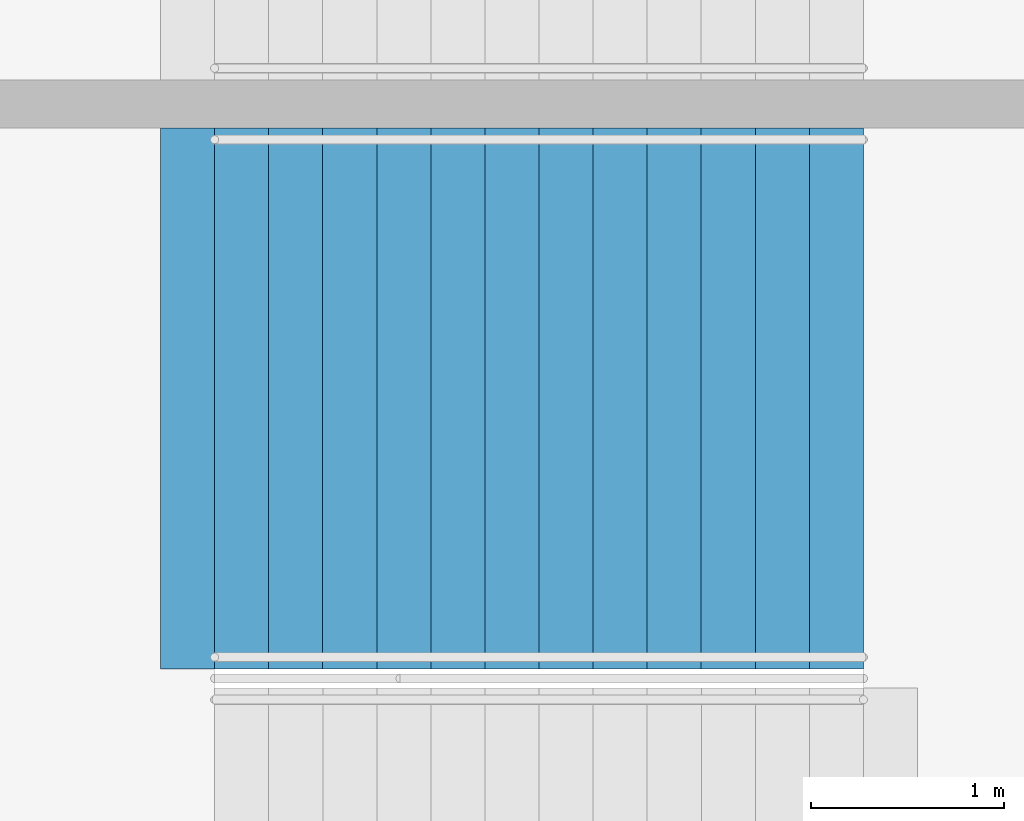
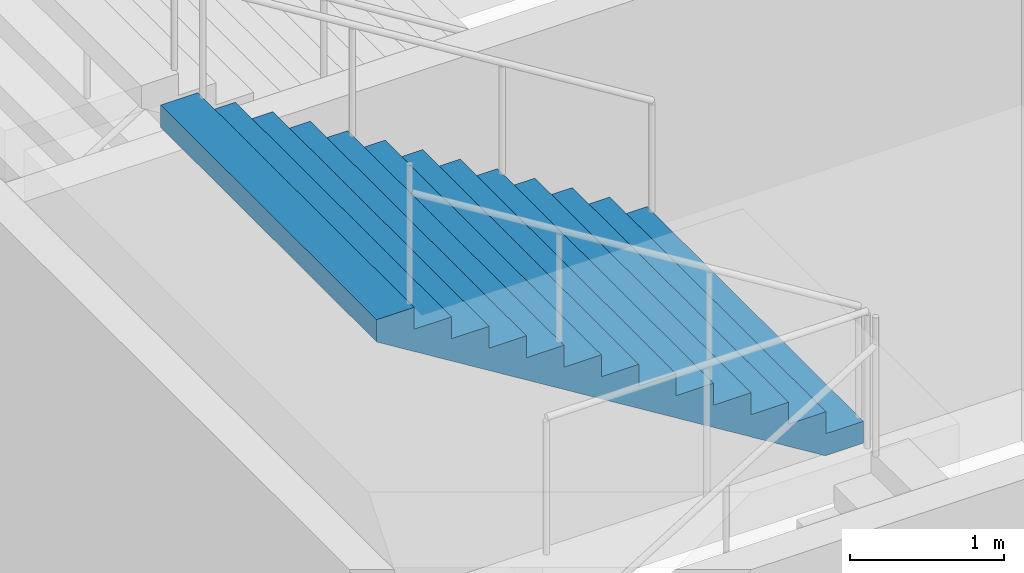
# One storey, part 139 of 199: 1 stair flight, 1 element without a shape of its own.
"""IFC4 building model written with IfcOpenShell, lengths in metres."""

import ifcopenshell
import ifcopenshell.guid

model = None  # the IFC model being written
_history = None  # IfcOwnerHistory: only IFC2X3 demands one
_inside = {}  # id of a spatial element -> (the spatial element, [elements in it])
_under = {}  # id of a project, library or spatial element -> (it, [spatial elements below it])
_declared = {}  # id of a project -> (the project, [libraries it declares])
_typed = {}  # id of a type object -> (the type object, [elements of that type])
_made_of = {}  # id of a material, layer set ... -> (it, [elements and type objects made of it])


def new_model(schema):
    """Start an empty IFC model of exactly this schema.

    Asked for "IFC4X3", IfcOpenShell would pick the latest addendum, in which some entities
    have other attributes; the version numbers below select the first issue.
    IFC2X3 requires an IfcOwnerHistory on every rooted entity: one is made here for all.
    """
    global model, _history
    if schema == "IFC4X3":
        model = ifcopenshell.file(schema_version=(4, 3, 0, 0))
    else:
        model = ifcopenshell.file(schema=schema)
    _inside.clear()
    _under.clear()
    _declared.clear()
    _typed.clear()
    _made_of.clear()
    _history = None
    if model.schema == "IFC2X3":
        org = make("IfcOrganization", Name="unknown")
        user = make(
            "IfcPersonAndOrganization",
            ThePerson=make("IfcPerson", FamilyName="unknown"),
            TheOrganization=org,
        )
        app = make(
            "IfcApplication",
            ApplicationDeveloper=org,
            Version="unknown",
            ApplicationFullName="unknown",
            ApplicationIdentifier="unknown",
        )
        _history = make(
            "IfcOwnerHistory",
            OwningUser=user,
            OwningApplication=app,
            ChangeAction="ADDED",
            CreationDate=0,
        )
    return model


def make(cls, **values):
    """One entity of the class cls with the attributes given. An attribute that is None is left unset."""
    return model.create_entity(
        cls, **{name: value for name, value in values.items() if value is not None}
    )


def rooted(cls, **values):
    """An entity with a GlobalId (a new one), such as an element, a storey or a relation."""
    return make(cls, GlobalId=ifcopenshell.guid.new(), OwnerHistory=_history, **values)


def si_unit(unit_type, name, prefix=None):
    """IfcSIUnit, for example si_unit("LENGTHUNIT", "METRE", prefix="MILLI")."""
    return make("IfcSIUnit", UnitType=unit_type, Prefix=prefix, Name=name)


def assignment(units):
    """IfcUnitAssignment: the units of a project."""
    return None if units is None else make("IfcUnitAssignment", Units=units)


def point(xyz):
    """IfcCartesianPoint."""
    return None if xyz is None else make("IfcCartesianPoint", Coordinates=xyz)


def direction(xyz):
    """IfcDirection."""
    return None if xyz is None else make("IfcDirection", DirectionRatios=xyz)


def frame(location, z_axis=None, x_axis=None):
    """IfcAxis2Placement3D, a coordinate frame: its origin and axes. An axis left out is left unset."""
    return make(
        "IfcAxis2Placement3D",
        Location=point(location),
        Axis=direction(z_axis),
        RefDirection=direction(x_axis),
    )


def origin():
    """The frame at (0, 0, 0) with its axes left unset."""
    return frame((0.0, 0.0, 0.0))


def place(relative_to, where):
    """IfcLocalPlacement: puts the frame where relative to a parent placement (None: the world)."""
    return make(
        "IfcLocalPlacement", PlacementRelTo=relative_to, RelativePlacement=where
    )


def context(
    kind, dimensions, precision=None, world=None, true_north=None, identifier=None
):
    """IfcGeometricRepresentationContext, for example the 3D "Model" context."""
    return make(
        "IfcGeometricRepresentationContext",
        ContextIdentifier=identifier,
        ContextType=kind,
        CoordinateSpaceDimension=dimensions,
        Precision=precision,
        WorldCoordinateSystem=world,
        TrueNorth=true_north,
    )


def subcontext(parent, identifier, kind, view, scale=None):
    """IfcGeometricRepresentationSubContext, for example "Body" below "Model"."""
    return make(
        "IfcGeometricRepresentationSubContext",
        ContextIdentifier=identifier,
        ContextType=kind,
        ParentContext=parent,
        TargetScale=scale,
        TargetView=view,
    )


def project(units=None, contexts=None):
    """IfcProject with its units and contexts."""
    return rooted(
        "IfcProject",
        Name="project",
        RepresentationContexts=contexts,
        UnitsInContext=assignment(units),
    )


def spatial(cls, under=None, at=None, **own):
    """A site, building, storey or space (cls), placed at a placement, below another one or the project."""
    s = rooted(cls, ObjectPlacement=at, **own)
    if under is not None:
        _under.setdefault(under.id(), (under, []))[1].append(s)
    return s


def faces_of(points, faces, orient=None, outer=None):
    """IfcFace entities. A face is a list of loops; a loop is a list of indices into points, from 0.

    orient and outer hold one flag for each loop. By default every Orientation is true, the
    first loop of a face is its IfcFaceOuterBound and the others are IfcFaceBound.
    """
    made = []
    for i, loops in enumerate(faces):
        bounds = []
        for j, loop in enumerate(loops):
            is_outer = j == 0 if outer is None else outer[i][j]
            bounds.append(
                make(
                    "IfcFaceOuterBound" if is_outer else "IfcFaceBound",
                    Bound=make("IfcPolyLoop", Polygon=[points[k] for k in loop]),
                    Orientation=True if orient is None else orient[i][j],
                )
            )
        made.append(make("IfcFace", Bounds=bounds))
    return made


def faceted_brep(points, faces, orient=None, outer=None, voids=None):
    """IfcFacetedBrep: a solid bounded by flat faces; with voids (closed shells), ...WithVoids."""
    shared = [point(p) for p in points]
    hull = make("IfcClosedShell", CfsFaces=faces_of(shared, faces, orient, outer))
    if voids is None:
        return make("IfcFacetedBrep", Outer=hull)
    return make(
        "IfcFacetedBrepWithVoids",
        Outer=hull,
        Voids=[
            make(cls, CfsFaces=faces_of(shared, fs, o, b)) for cls, fs, o, b in voids
        ],
    )


def shape(context_of_items, identifier, shape_type, items):
    """IfcShapeRepresentation: the items that make up one representation, for example the "Body"."""
    return make(
        "IfcShapeRepresentation",
        ContextOfItems=context_of_items,
        RepresentationIdentifier=identifier,
        RepresentationType=shape_type,
        Items=items,
    )


def material(Name=None, Category=None):
    """IfcMaterial."""
    return make("IfcMaterial", Name=Name, Category=Category)


def made_of(thing, what):
    """Note that an element or type object is made of a material, layer set ...; save() writes the relation."""
    if what is not None:
        _made_of.setdefault(what.id(), (what, []))[1].append(thing)
    return thing


def type_object(cls, material=None, **own):
    """A type object (cls), such as IfcWallType, which elements share."""
    return made_of(rooted(cls, **own), material)


def element(
    cls,
    number,
    at=None,
    inside=None,
    cuts=None,
    type_object=None,
    material=None,
    context=None,
    identifier="Body",
    shape_type=None,
    held_by="IfcProductDefinitionShape",
    body=None,
    shapes=None,
    **own,
):
    """One element of the class cls, such as IfcWall. Its Tag is "e" and its number.

    at: its placement. inside: the storey or other place that contains it. cuts: it is an
    opening in that element (IfcRelVoidsElement). A single representation is given by context,
    identifier, shape_type and body (its items); several are given by shapes. held_by: the class
    of the entity that holds the representations. save() writes the other relations.
    """
    e = rooted(cls, Tag="e%d" % number, ObjectPlacement=at, **own)
    if body is not None:
        shapes = [shape(context, identifier, shape_type, body)]
    if shapes is not None:
        e.Representation = make(held_by, Representations=shapes)
    if inside is not None:
        _inside.setdefault(inside.id(), (inside, []))[1].append(e)
    if cuts is not None:
        rooted(
            "IfcRelVoidsElement", RelatingBuildingElement=cuts, RelatedOpeningElement=e
        )
    if type_object is not None:
        _typed.setdefault(type_object.id(), (type_object, []))[1].append(e)
    return made_of(e, material)


def aggregate(whole, parts):
    """IfcRelAggregates: a whole, such as a stair, and the parts it consists of."""
    return rooted("IfcRelAggregates", RelatingObject=whole, RelatedObjects=parts)


def save(model, path):
    """Write the relations noted so far, then the file.

    IfcRelAggregates (storeys below a building ...), IfcRelContainedInSpatialStructure (elements
    in a storey), IfcRelDefinesByType, IfcRelAssociatesMaterial and IfcRelDeclares: one each for
    every whole, place, type object, material and project.
    """
    for whole, parts in _under.values():
        aggregate(whole, parts)
    for where, things in _inside.values():
        rooted(
            "IfcRelContainedInSpatialStructure",
            RelatedElements=things,
            RelatingStructure=where,
        )
    for kind, things in _typed.values():
        rooted("IfcRelDefinesByType", RelatedObjects=things, RelatingType=kind)
    for what, things in _made_of.values():
        rooted("IfcRelAssociatesMaterial", RelatedObjects=things, RelatingMaterial=what)
    for by, libraries in _declared.values():
        rooted("IfcRelDeclares", RelatingContext=by, RelatedDefinitions=libraries)
    model.write(path)


model = new_model("IFC4")

# Units and contexts
model_context = context("Model", 3, precision=1e-05, world=origin(), true_north=direction((0.0, 1.0)))
body_context = subcontext(model_context, "Body", "Model", "MODEL_VIEW")
ifc_project = project(units=[si_unit("LENGTHUNIT", "METRE"), si_unit("AREAUNIT", "SQUARE_METRE"), si_unit("VOLUMEUNIT", "CUBIC_METRE"), si_unit("PLANEANGLEUNIT", "RADIAN"), si_unit("MASSUNIT", "GRAM", prefix="KILO")], contexts=[model_context])

# Site, building, storey
site_placement = place(None, origin())
site = spatial("IfcSite", under=ifc_project, at=site_placement, CompositionType="ELEMENT")
building_placement = place(site_placement, origin())
building = spatial("IfcBuilding", under=site, at=building_placement, Name="Ogive Plaza Stadium", CompositionType="ELEMENT")
storey_placement = place(building_placement, frame((0.0, 0.0, 9.0)))
storey = spatial("IfcBuildingStorey", under=building, at=storey_placement, Name="L02", CompositionType="ELEMENT", Elevation=9.0)

# Stair, stair flight
ifc_material_1 = material(Name="Concrete C40/50", Category="concrete")
stair_type = type_object("IfcStairType", Name="Exit stair", PredefinedType="STRAIGHT_RUN_STAIR", material=ifc_material_1)
stair_placement = place(storey_placement, origin())
stair = element("IfcStair", 1, at=stair_placement, inside=storey, type_object=stair_type, Name="Exit stair ST08A L02 to L03", PredefinedType="STRAIGHT_RUN_STAIR")
ifc_material_2 = material(Name="Concrete C40/50", Category="concrete")
stair_flight_type = type_object("IfcStairFlightType", Name="Exit stair flight", PredefinedType="STRAIGHT", material=ifc_material_2)
stair_flight_placement = place(storey_placement, frame((79.7099609375, -54.02490234375, 2.25), z_axis=(0.0, 0.0, 1.0), x_axis=(-1.0, 0.0, 0.0)))
stair_flight = element("IfcStairFlight", 2, at=stair_flight_placement, type_object=stair_flight_type, Name="ST08A flight 2", NumberOfRisers=13, NumberOfTreads=12, PredefinedType="STRAIGHT", RiserHeight=0.173076923, TreadLength=0.28, context=body_context, shape_type="Brep", body=[
    faceted_brep([(0.28515625, -1.39990234375, 0.0), (3.639892578125, -1.39990234375, 2.07373046875), (3.639892578125, -1.39990234375, 2.25), (3.360107421875, -1.39990234375, 2.25), (3.360107421875, -1.39990234375, 2.076904296875), (3.080078125, -1.39990234375, 2.076904296875), (3.080078125, -1.39990234375, 1.90380859375), (2.800048828125, -1.39990234375, 1.90380859375), (2.800048828125, -1.39990234375, 1.730712890625), (2.52001953125, -1.39990234375, 1.730712890625), (2.52001953125, -1.39990234375, 1.5576171875), (2.239990234375, -1.39990234375, 1.5576171875), (2.239990234375, -1.39990234375, 1.384521484375), (1.9599609375, -1.39990234375, 1.384521484375), (1.9599609375, -1.39990234375, 1.21142578125), (1.679931640625, -1.39990234375, 1.21142578125), (1.679931640625, -1.39990234375, 1.03857421875), (1.39990234375, -1.39990234375, 1.03857421875), (1.39990234375, -1.39990234375, 0.865478515625), (1.1201171875, -1.39990234375, 0.865478515625), (1.1201171875, -1.39990234375, 0.6923828125), (0.840087890625, -1.39990234375, 0.6923828125), (0.840087890625, -1.39990234375, 0.519287109375), (0.56005859375, -1.39990234375, 0.519287109375), (0.56005859375, -1.39990234375, 0.34619140625), (0.280029296875, -1.39990234375, 0.34619140625), (0.280029296875, -1.39990234375, 0.173095703125), (0.0, -1.39990234375, 0.173095703125), (0.0, -1.39990234375, 0.0), (0.0, 1.39990234375, 0.0), (0.0, 1.39990234375, 0.173095703125), (0.280029296875, 1.39990234375, 0.173095703125), (0.280029296875, 1.39990234375, 0.34619140625), (0.56005859375, 1.39990234375, 0.34619140625), (0.56005859375, 1.39990234375, 0.519287109375), (0.840087890625, 1.39990234375, 0.519287109375), (0.840087890625, 1.39990234375, 0.6923828125), (1.1201171875, 1.39990234375, 0.6923828125), (1.1201171875, 1.39990234375, 0.865478515625), (1.39990234375, 1.39990234375, 0.865478515625), (1.39990234375, 1.39990234375, 1.03857421875), (1.679931640625, 1.39990234375, 1.03857421875), (1.679931640625, 1.39990234375, 1.21142578125), (1.9599609375, 1.39990234375, 1.21142578125), (1.9599609375, 1.39990234375, 1.384521484375), (2.239990234375, 1.39990234375, 1.384521484375), (2.239990234375, 1.39990234375, 1.5576171875), (2.52001953125, 1.39990234375, 1.5576171875), (2.52001953125, 1.39990234375, 1.730712890625), (2.800048828125, 1.39990234375, 1.730712890625), (2.800048828125, 1.39990234375, 1.90380859375), (3.080078125, 1.39990234375, 1.90380859375), (3.080078125, 1.39990234375, 2.076904296875), (3.360107421875, 1.39990234375, 2.076904296875), (3.360107421875, 1.39990234375, 2.25), (3.639892578125, 1.39990234375, 2.25), (3.639892578125, 1.39990234375, 2.07373046875), (0.28515625, 1.39990234375, 0.0), (0.28515625, -1.0888671875, 0.0), (3.639892578125, -1.0888671875, 2.07373046875), (0.28515625, -0.77783203125, 0.0), (3.639892578125, -0.77783203125, 2.07373046875), (0.28515625, -0.466796875, 0.0), (3.639892578125, -0.466796875, 2.07373046875), (0.28515625, -0.155517578125, 0.0), (3.639892578125, -0.155517578125, 2.07373046875), (0.28515625, 0.155517578125, 0.0), (3.639892578125, 0.155517578125, 2.07373046875), (0.28515625, 0.466796875, 0.0), (3.639892578125, 0.466796875, 2.07373046875), (0.28515625, 0.77783203125, 0.0), (3.639892578125, 0.77783203125, 2.07373046875), (0.28515625, 1.0888671875, 0.0), (3.639892578125, 1.0888671875, 2.07373046875), (3.639892578125, -1.0888671875, 2.25), (3.639892578125, -0.77783203125, 2.25), (3.639892578125, -0.466796875, 2.25), (3.639892578125, -0.155517578125, 2.25), (3.639892578125, 0.155517578125, 2.25), (3.639892578125, 0.466796875, 2.25), (3.639892578125, 0.77783203125, 2.25), (3.639892578125, 1.0888671875, 2.25), (3.360107421875, -1.0888671875, 2.25), (3.360107421875, -0.77783203125, 2.25), (3.360107421875, -0.466796875, 2.25), (3.360107421875, -0.155517578125, 2.25), (3.360107421875, 0.155517578125, 2.25), (3.360107421875, 0.466796875, 2.25), (3.360107421875, 0.77783203125, 2.25), (3.360107421875, 1.0888671875, 2.25), (3.360107421875, -1.0888671875, 2.076904296875), (3.360107421875, -0.77783203125, 2.076904296875), (3.360107421875, -0.466796875, 2.076904296875), (3.360107421875, -0.155517578125, 2.076904296875), (3.360107421875, 0.155517578125, 2.076904296875), (3.360107421875, 0.466796875, 2.076904296875), (3.360107421875, 0.77783203125, 2.076904296875), (3.360107421875, 1.0888671875, 2.076904296875), (3.080078125, -1.0888671875, 2.076904296875), (3.080078125, -0.77783203125, 2.076904296875), (3.080078125, -0.466796875, 2.076904296875), (3.080078125, -0.155517578125, 2.076904296875), (3.080078125, 0.155517578125, 2.076904296875), (3.080078125, 0.466796875, 2.076904296875), (3.080078125, 0.77783203125, 2.076904296875), (3.080078125, 1.0888671875, 2.076904296875), (3.080078125, -1.0888671875, 1.90380859375), (3.080078125, -0.77783203125, 1.90380859375), (3.080078125, -0.466796875, 1.90380859375), (3.080078125, -0.155517578125, 1.90380859375), (3.080078125, 0.155517578125, 1.90380859375), (3.080078125, 0.466796875, 1.90380859375), (3.080078125, 0.77783203125, 1.90380859375), (3.080078125, 1.0888671875, 1.90380859375), (2.800048828125, -1.0888671875, 1.90380859375), (2.800048828125, -0.77783203125, 1.90380859375), (2.800048828125, -0.466796875, 1.90380859375), (2.800048828125, -0.155517578125, 1.90380859375), (2.800048828125, 0.155517578125, 1.90380859375), (2.800048828125, 0.466796875, 1.90380859375), (2.800048828125, 0.77783203125, 1.90380859375), (2.800048828125, 1.0888671875, 1.90380859375), (2.800048828125, -1.0888671875, 1.730712890625), (2.800048828125, -0.77783203125, 1.730712890625), (2.800048828125, -0.466796875, 1.730712890625), (2.800048828125, -0.155517578125, 1.730712890625), (2.800048828125, 0.155517578125, 1.730712890625), (2.800048828125, 0.466796875, 1.730712890625), (2.800048828125, 0.77783203125, 1.730712890625), (2.800048828125, 1.0888671875, 1.730712890625), (2.52001953125, -1.0888671875, 1.730712890625), (2.52001953125, -0.77783203125, 1.730712890625), (2.52001953125, -0.466796875, 1.730712890625), (2.52001953125, -0.155517578125, 1.730712890625), (2.52001953125, 0.155517578125, 1.730712890625), (2.52001953125, 0.466796875, 1.730712890625), (2.52001953125, 0.77783203125, 1.730712890625), (2.52001953125, 1.0888671875, 1.730712890625), (2.52001953125, -1.0888671875, 1.5576171875), (2.52001953125, -0.77783203125, 1.5576171875), (2.52001953125, -0.466796875, 1.5576171875), (2.52001953125, -0.155517578125, 1.5576171875), (2.52001953125, 0.155517578125, 1.5576171875), (2.52001953125, 0.466796875, 1.5576171875), (2.52001953125, 0.77783203125, 1.5576171875), (2.52001953125, 1.0888671875, 1.5576171875), (2.239990234375, -1.0888671875, 1.5576171875), (2.239990234375, -0.77783203125, 1.5576171875), (2.239990234375, -0.466796875, 1.5576171875), (2.239990234375, -0.155517578125, 1.5576171875), (2.239990234375, 0.155517578125, 1.5576171875), (2.239990234375, 0.466796875, 1.5576171875), (2.239990234375, 0.77783203125, 1.5576171875), (2.239990234375, 1.0888671875, 1.5576171875), (2.239990234375, -1.0888671875, 1.384521484375), (2.239990234375, -0.77783203125, 1.384521484375), (2.239990234375, -0.466796875, 1.384521484375), (2.239990234375, -0.155517578125, 1.384521484375), (2.239990234375, 0.155517578125, 1.384521484375), (2.239990234375, 0.466796875, 1.384521484375), (2.239990234375, 0.77783203125, 1.384521484375), (2.239990234375, 1.0888671875, 1.384521484375), (1.9599609375, -1.0888671875, 1.384521484375), (1.9599609375, -0.77783203125, 1.384521484375), (1.9599609375, -0.466796875, 1.384521484375), (1.9599609375, -0.155517578125, 1.384521484375), (1.9599609375, 0.155517578125, 1.384521484375), (1.9599609375, 0.466796875, 1.384521484375), (1.9599609375, 0.77783203125, 1.384521484375), (1.9599609375, 1.0888671875, 1.384521484375), (1.9599609375, -1.0888671875, 1.21142578125), (1.9599609375, -0.77783203125, 1.21142578125), (1.9599609375, -0.466796875, 1.21142578125), (1.9599609375, -0.155517578125, 1.21142578125), (1.9599609375, 0.155517578125, 1.21142578125), (1.9599609375, 0.466796875, 1.21142578125), (1.9599609375, 0.77783203125, 1.21142578125), (1.9599609375, 1.0888671875, 1.21142578125), (1.679931640625, -1.0888671875, 1.21142578125), (1.679931640625, -0.77783203125, 1.21142578125), (1.679931640625, -0.466796875, 1.21142578125), (1.679931640625, -0.155517578125, 1.21142578125), (1.679931640625, 0.155517578125, 1.21142578125), (1.679931640625, 0.466796875, 1.21142578125), (1.679931640625, 0.77783203125, 1.21142578125), (1.679931640625, 1.0888671875, 1.21142578125), (1.679931640625, -1.0888671875, 1.03857421875), (1.679931640625, -0.77783203125, 1.03857421875), (1.679931640625, -0.466796875, 1.03857421875), (1.679931640625, -0.155517578125, 1.03857421875), (1.679931640625, 0.155517578125, 1.03857421875), (1.679931640625, 0.466796875, 1.03857421875), (1.679931640625, 0.77783203125, 1.03857421875), (1.679931640625, 1.0888671875, 1.03857421875), (1.39990234375, -1.0888671875, 1.03857421875), (1.39990234375, -0.77783203125, 1.03857421875), (1.39990234375, -0.466796875, 1.03857421875), (1.39990234375, -0.155517578125, 1.03857421875), (1.39990234375, 0.155517578125, 1.03857421875), (1.39990234375, 0.466796875, 1.03857421875), (1.39990234375, 0.77783203125, 1.03857421875), (1.39990234375, 1.0888671875, 1.03857421875), (1.39990234375, -1.0888671875, 0.865478515625), (1.39990234375, -0.77783203125, 0.865478515625), (1.39990234375, -0.466796875, 0.865478515625), (1.39990234375, -0.155517578125, 0.865478515625), (1.39990234375, 0.155517578125, 0.865478515625), (1.39990234375, 0.466796875, 0.865478515625), (1.39990234375, 0.77783203125, 0.865478515625), (1.39990234375, 1.0888671875, 0.865478515625), (1.1201171875, -1.0888671875, 0.865478515625), (1.1201171875, -0.77783203125, 0.865478515625), (1.1201171875, -0.466796875, 0.865478515625), (1.1201171875, -0.155517578125, 0.865478515625), (1.1201171875, 0.155517578125, 0.865478515625), (1.1201171875, 0.466796875, 0.865478515625), (1.1201171875, 0.77783203125, 0.865478515625), (1.1201171875, 1.0888671875, 0.865478515625), (1.1201171875, -1.0888671875, 0.6923828125), (1.1201171875, -0.77783203125, 0.6923828125), (1.1201171875, -0.466796875, 0.6923828125), (1.1201171875, -0.155517578125, 0.6923828125), (1.1201171875, 0.155517578125, 0.6923828125), (1.1201171875, 0.466796875, 0.6923828125), (1.1201171875, 0.77783203125, 0.6923828125), (1.1201171875, 1.0888671875, 0.6923828125), (0.840087890625, -1.0888671875, 0.6923828125), (0.840087890625, -0.77783203125, 0.6923828125), (0.840087890625, -0.466796875, 0.6923828125), (0.840087890625, -0.155517578125, 0.6923828125), (0.840087890625, 0.155517578125, 0.6923828125), (0.840087890625, 0.466796875, 0.6923828125), (0.840087890625, 0.77783203125, 0.6923828125), (0.840087890625, 1.0888671875, 0.6923828125), (0.840087890625, -1.0888671875, 0.519287109375), (0.840087890625, -0.77783203125, 0.519287109375), (0.840087890625, -0.466796875, 0.519287109375), (0.840087890625, -0.155517578125, 0.519287109375), (0.840087890625, 0.155517578125, 0.519287109375), (0.840087890625, 0.466796875, 0.519287109375), (0.840087890625, 0.77783203125, 0.519287109375), (0.840087890625, 1.0888671875, 0.519287109375), (0.56005859375, -1.0888671875, 0.519287109375), (0.56005859375, -0.77783203125, 0.519287109375), (0.56005859375, -0.466796875, 0.519287109375), (0.56005859375, -0.155517578125, 0.519287109375), (0.56005859375, 0.155517578125, 0.519287109375), (0.56005859375, 0.466796875, 0.519287109375), (0.56005859375, 0.77783203125, 0.519287109375), (0.56005859375, 1.0888671875, 0.519287109375), (0.56005859375, -1.0888671875, 0.34619140625), (0.56005859375, -0.77783203125, 0.34619140625), (0.56005859375, -0.466796875, 0.34619140625), (0.56005859375, -0.155517578125, 0.34619140625), (0.56005859375, 0.155517578125, 0.34619140625), (0.56005859375, 0.466796875, 0.34619140625), (0.56005859375, 0.77783203125, 0.34619140625), (0.56005859375, 1.0888671875, 0.34619140625), (0.280029296875, -1.0888671875, 0.34619140625), (0.280029296875, -0.77783203125, 0.34619140625), (0.280029296875, -0.466796875, 0.34619140625), (0.280029296875, -0.155517578125, 0.34619140625), (0.280029296875, 0.155517578125, 0.34619140625), (0.280029296875, 0.466796875, 0.34619140625), (0.280029296875, 0.77783203125, 0.34619140625), (0.280029296875, 1.0888671875, 0.34619140625), (0.280029296875, -1.0888671875, 0.173095703125), (0.280029296875, -0.77783203125, 0.173095703125), (0.280029296875, -0.466796875, 0.173095703125), (0.280029296875, -0.155517578125, 0.173095703125), (0.280029296875, 0.155517578125, 0.173095703125), (0.280029296875, 0.466796875, 0.173095703125), (0.280029296875, 0.77783203125, 0.173095703125), (0.280029296875, 1.0888671875, 0.173095703125), (0.0, -1.0888671875, 0.173095703125), (0.0, -0.77783203125, 0.173095703125), (0.0, -0.466796875, 0.173095703125), (0.0, -0.155517578125, 0.173095703125), (0.0, 0.155517578125, 0.173095703125), (0.0, 0.466796875, 0.173095703125), (0.0, 0.77783203125, 0.173095703125), (0.0, 1.0888671875, 0.173095703125), (0.0, -1.0888671875, 0.0), (0.0, -0.77783203125, 0.0), (0.0, -0.466796875, 0.0), (0.0, -0.155517578125, 0.0), (0.0, 0.155517578125, 0.0), (0.0, 0.466796875, 0.0), (0.0, 0.77783203125, 0.0), (0.0, 1.0888671875, 0.0)], [[[0, 1, 2, 3, 4, 5, 6, 7, 8, 9, 10, 11, 12, 13, 14, 15, 16, 17, 18, 19, 20, 21, 22, 23, 24, 25, 26, 27, 28]], [[29, 30, 31, 32, 33, 34, 35, 36, 37, 38, 39, 40, 41, 42, 43, 44, 45, 46, 47, 48, 49, 50, 51, 52, 53, 54, 55, 56, 57]], [[0, 58, 59, 1]], [[58, 60, 61, 59]], [[60, 62, 63, 61]], [[62, 64, 65, 63]], [[64, 66, 67, 65]], [[66, 68, 69, 67]], [[68, 70, 71, 69]], [[70, 72, 73, 71]], [[72, 57, 56, 73]], [[1, 59, 74, 2]], [[59, 61, 75, 74]], [[61, 63, 76, 75]], [[63, 65, 77, 76]], [[65, 67, 78, 77]], [[67, 69, 79, 78]], [[69, 71, 80, 79]], [[71, 73, 81, 80]], [[73, 56, 55, 81]], [[2, 74, 82, 3]], [[74, 75, 83, 82]], [[75, 76, 84, 83]], [[76, 77, 85, 84]], [[77, 78, 86, 85]], [[78, 79, 87, 86]], [[79, 80, 88, 87]], [[80, 81, 89, 88]], [[81, 55, 54, 89]], [[3, 82, 90, 4]], [[82, 83, 91, 90]], [[83, 84, 92, 91]], [[84, 85, 93, 92]], [[85, 86, 94, 93]], [[86, 87, 95, 94]], [[87, 88, 96, 95]], [[88, 89, 97, 96]], [[89, 54, 53, 97]], [[4, 90, 98, 5]], [[90, 91, 99, 98]], [[91, 92, 100, 99]], [[92, 93, 101, 100]], [[93, 94, 102, 101]], [[94, 95, 103, 102]], [[95, 96, 104, 103]], [[96, 97, 105, 104]], [[97, 53, 52, 105]], [[5, 98, 106, 6]], [[98, 99, 107, 106]], [[99, 100, 108, 107]], [[100, 101, 109, 108]], [[101, 102, 110, 109]], [[102, 103, 111, 110]], [[103, 104, 112, 111]], [[104, 105, 113, 112]], [[105, 52, 51, 113]], [[6, 106, 114, 7]], [[106, 107, 115, 114]], [[107, 108, 116, 115]], [[108, 109, 117, 116]], [[109, 110, 118, 117]], [[110, 111, 119, 118]], [[111, 112, 120, 119]], [[112, 113, 121, 120]], [[113, 51, 50, 121]], [[7, 114, 122, 8]], [[114, 115, 123, 122]], [[115, 116, 124, 123]], [[116, 117, 125, 124]], [[117, 118, 126, 125]], [[118, 119, 127, 126]], [[119, 120, 128, 127]], [[120, 121, 129, 128]], [[121, 50, 49, 129]], [[8, 122, 130, 9]], [[122, 123, 131, 130]], [[123, 124, 132, 131]], [[124, 125, 133, 132]], [[125, 126, 134, 133]], [[126, 127, 135, 134]], [[127, 128, 136, 135]], [[128, 129, 137, 136]], [[129, 49, 48, 137]], [[9, 130, 138, 10]], [[130, 131, 139, 138]], [[131, 132, 140, 139]], [[132, 133, 141, 140]], [[133, 134, 142, 141]], [[134, 135, 143, 142]], [[135, 136, 144, 143]], [[136, 137, 145, 144]], [[137, 48, 47, 145]], [[10, 138, 146, 11]], [[138, 139, 147, 146]], [[139, 140, 148, 147]], [[140, 141, 149, 148]], [[141, 142, 150, 149]], [[142, 143, 151, 150]], [[143, 144, 152, 151]], [[144, 145, 153, 152]], [[145, 47, 46, 153]], [[11, 146, 154, 12]], [[146, 147, 155, 154]], [[147, 148, 156, 155]], [[148, 149, 157, 156]], [[149, 150, 158, 157]], [[150, 151, 159, 158]], [[151, 152, 160, 159]], [[152, 153, 161, 160]], [[153, 46, 45, 161]], [[12, 154, 162, 13]], [[154, 155, 163, 162]], [[155, 156, 164, 163]], [[156, 157, 165, 164]], [[157, 158, 166, 165]], [[158, 159, 167, 166]], [[159, 160, 168, 167]], [[160, 161, 169, 168]], [[161, 45, 44, 169]], [[13, 162, 170, 14]], [[162, 163, 171, 170]], [[163, 164, 172, 171]], [[164, 165, 173, 172]], [[165, 166, 174, 173]], [[166, 167, 175, 174]], [[167, 168, 176, 175]], [[168, 169, 177, 176]], [[169, 44, 43, 177]], [[14, 170, 178, 15]], [[170, 171, 179, 178]], [[171, 172, 180, 179]], [[172, 173, 181, 180]], [[173, 174, 182, 181]], [[174, 175, 183, 182]], [[175, 176, 184, 183]], [[176, 177, 185, 184]], [[177, 43, 42, 185]], [[15, 178, 186, 16]], [[178, 179, 187, 186]], [[179, 180, 188, 187]], [[180, 181, 189, 188]], [[181, 182, 190, 189]], [[182, 183, 191, 190]], [[183, 184, 192, 191]], [[184, 185, 193, 192]], [[185, 42, 41, 193]], [[16, 186, 194, 17]], [[186, 187, 195, 194]], [[187, 188, 196, 195]], [[188, 189, 197, 196]], [[189, 190, 198, 197]], [[190, 191, 199, 198]], [[191, 192, 200, 199]], [[192, 193, 201, 200]], [[193, 41, 40, 201]], [[17, 194, 202, 18]], [[194, 195, 203, 202]], [[195, 196, 204, 203]], [[196, 197, 205, 204]], [[197, 198, 206, 205]], [[198, 199, 207, 206]], [[199, 200, 208, 207]], [[200, 201, 209, 208]], [[201, 40, 39, 209]], [[18, 202, 210, 19]], [[202, 203, 211, 210]], [[203, 204, 212, 211]], [[204, 205, 213, 212]], [[205, 206, 214, 213]], [[206, 207, 215, 214]], [[207, 208, 216, 215]], [[208, 209, 217, 216]], [[209, 39, 38, 217]], [[19, 210, 218, 20]], [[210, 211, 219, 218]], [[211, 212, 220, 219]], [[212, 213, 221, 220]], [[213, 214, 222, 221]], [[214, 215, 223, 222]], [[215, 216, 224, 223]], [[216, 217, 225, 224]], [[217, 38, 37, 225]], [[20, 218, 226, 21]], [[218, 219, 227, 226]], [[219, 220, 228, 227]], [[220, 221, 229, 228]], [[221, 222, 230, 229]], [[222, 223, 231, 230]], [[223, 224, 232, 231]], [[224, 225, 233, 232]], [[225, 37, 36, 233]], [[21, 226, 234, 22]], [[226, 227, 235, 234]], [[227, 228, 236, 235]], [[228, 229, 237, 236]], [[229, 230, 238, 237]], [[230, 231, 239, 238]], [[231, 232, 240, 239]], [[232, 233, 241, 240]], [[233, 36, 35, 241]], [[22, 234, 242, 23]], [[234, 235, 243, 242]], [[235, 236, 244, 243]], [[236, 237, 245, 244]], [[237, 238, 246, 245]], [[238, 239, 247, 246]], [[239, 240, 248, 247]], [[240, 241, 249, 248]], [[241, 35, 34, 249]], [[23, 242, 250, 24]], [[242, 243, 251, 250]], [[243, 244, 252, 251]], [[244, 245, 253, 252]], [[245, 246, 254, 253]], [[246, 247, 255, 254]], [[247, 248, 256, 255]], [[248, 249, 257, 256]], [[249, 34, 33, 257]], [[24, 250, 258, 25]], [[250, 251, 259, 258]], [[251, 252, 260, 259]], [[252, 253, 261, 260]], [[253, 254, 262, 261]], [[254, 255, 263, 262]], [[255, 256, 264, 263]], [[256, 257, 265, 264]], [[257, 33, 32, 265]], [[25, 258, 266, 26]], [[258, 259, 267, 266]], [[259, 260, 268, 267]], [[260, 261, 269, 268]], [[261, 262, 270, 269]], [[262, 263, 271, 270]], [[263, 264, 272, 271]], [[264, 265, 273, 272]], [[265, 32, 31, 273]], [[26, 266, 274, 27]], [[266, 267, 275, 274]], [[267, 268, 276, 275]], [[268, 269, 277, 276]], [[269, 270, 278, 277]], [[270, 271, 279, 278]], [[271, 272, 280, 279]], [[272, 273, 281, 280]], [[273, 31, 30, 281]], [[27, 274, 282, 28]], [[274, 275, 283, 282]], [[275, 276, 284, 283]], [[276, 277, 285, 284]], [[277, 278, 286, 285]], [[278, 279, 287, 286]], [[279, 280, 288, 287]], [[280, 281, 289, 288]], [[281, 30, 29, 289]], [[28, 282, 58, 0]], [[282, 283, 60, 58]], [[283, 284, 62, 60]], [[284, 285, 64, 62]], [[285, 286, 66, 64]], [[286, 287, 68, 66]], [[287, 288, 70, 68]], [[288, 289, 72, 70]], [[289, 29, 57, 72]]]),
])
aggregate(stair, [stair_flight])

save(model, "model.ifc")
